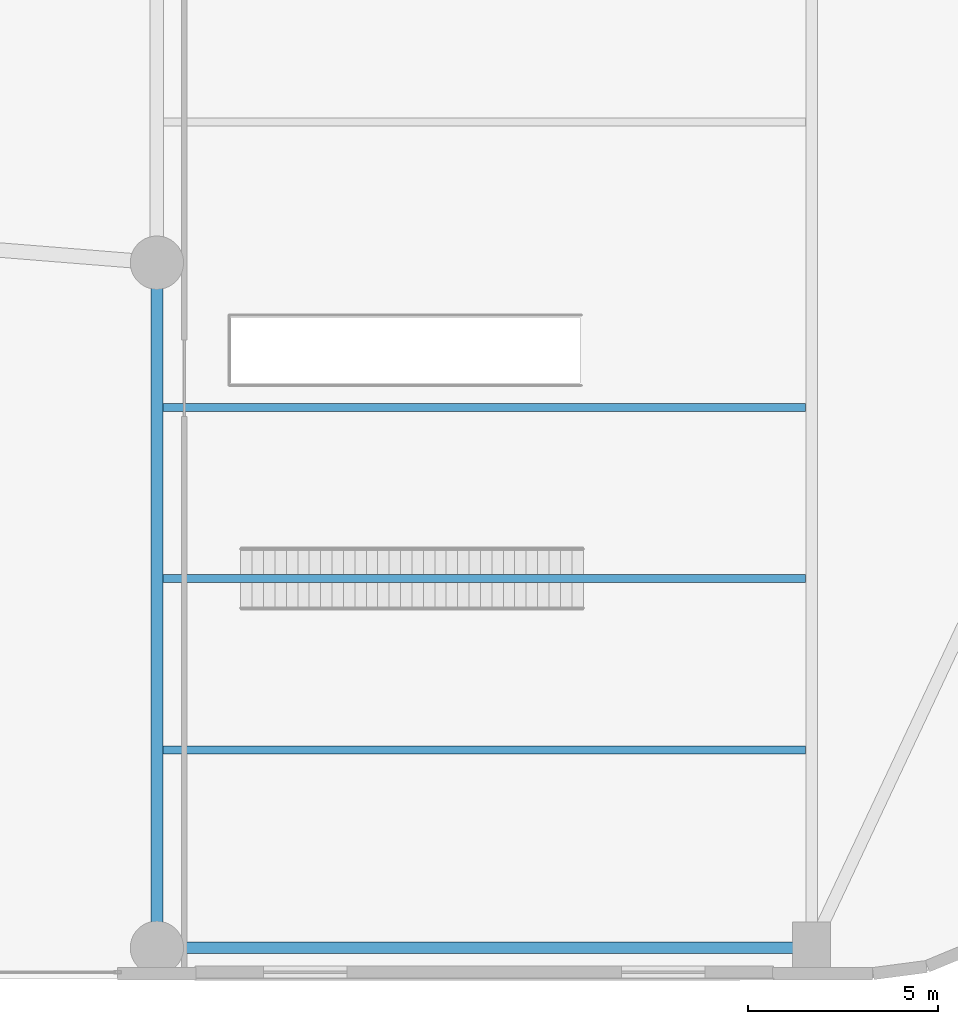
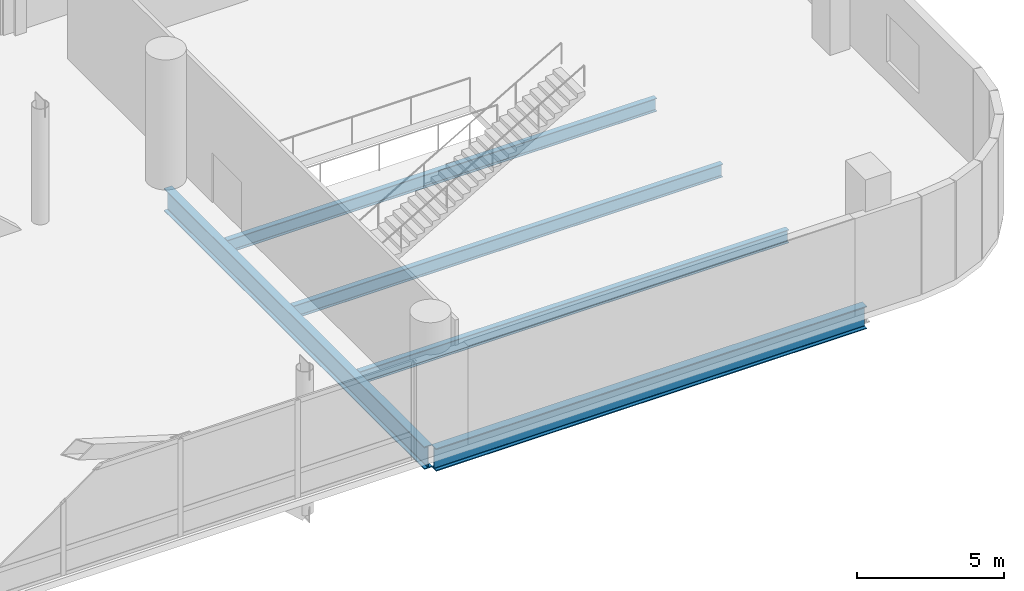
# One storey, part 14 of 36: 5 beams.
"""IFC4 building model written with IfcOpenShell, lengths in metres."""

from ifc_helpers import new_model, si_unit, direction, frame, origin, origin_2d, place, context, subcontext, project, spatial, i_section, extrude, material, material_profile, profile_set, type_object, element, save


model = new_model("IFC4")

# Units and contexts
model_context = context("Model", 3, precision=1e-05, world=origin(), true_north=direction((0.0, 1.0)))
body_context = subcontext(model_context, "Body", "Model", "MODEL_VIEW")
ifc_project = project(units=[si_unit("LENGTHUNIT", "METRE"), si_unit("AREAUNIT", "SQUARE_METRE"), si_unit("VOLUMEUNIT", "CUBIC_METRE"), si_unit("PLANEANGLEUNIT", "RADIAN"), si_unit("MASSUNIT", "GRAM", prefix="KILO")], contexts=[model_context])

# Site, building, storey
site_placement = place(None, origin())
site = spatial("IfcSite", under=ifc_project, at=site_placement, CompositionType="ELEMENT")
building_placement = place(site_placement, origin())
building = spatial("IfcBuilding", under=site, at=building_placement, Name="Varnelok Gate Tower", CompositionType="ELEMENT")
storey_placement = place(building_placement, frame((0.0, 0.0, 10.800048828125)))
storey = spatial("IfcBuildingStorey", under=building, at=storey_placement, Name="L02", CompositionType="ELEMENT", Elevation=10.800048828125)

# Beams
ifc_material = material(Name="Structural Steel ASTM A992 Grade 50", Category="steel")
ifc_material_profile_1 = material_profile(ifc_material, i_section(OverallWidth=0.2119140625, OverallDepth=0.5439453125, WebThickness=0.01318359375, FlangeThickness=0.021240234375, FilletRadius=0.01611328125, at=origin_2d()), Name="W21X83")
ifc_profile_set_1 = profile_set([ifc_material_profile_1], Name="Structural Steel ASTM A992 Grade 50")
beam_type_1 = type_object("IfcBeamType", Name="BM-JST-W21X83", PredefinedType="JOIST", material=ifc_profile_set_1)
for number, where, z_axis, x_axis, name in (
    (1, (54.159912109375, 6.0, -0.552001953125), (1.0, 0.0, 0.0), (0.0, 1.0, 0.0), "L02 Podium Floor Joist"),
    (2, (54.159912109375, 10.5, -0.552001953125), (1.0, 0.0, 0.0), (0.0, 1.0, 0.0), "L02 Podium Floor Joist"),
    (3, (54.159912109375, 15.0, -0.552001953125), (1.0, 0.0, 0.0), (0.0, 1.0, 0.0), "L02 Podium Floor Joist"),
):
    element("IfcBeam", number, at=place(storey_placement, frame(where, z_axis=z_axis, x_axis=x_axis)), inside=storey, type_object=beam_type_1, Name=name, PredefinedType="JOIST", context=body_context, shape_type="SweptSolid", body=[
        extrude(i_section(OverallWidth=0.2119140625, OverallDepth=0.5439453125, WebThickness=0.01318359375, FlangeThickness=0.021240234375, FilletRadius=0.01611328125, at=origin_2d()), origin(), (0.0, 0.0, 1.0), 16.880126953125),
    ])
ifc_material_profile_2 = material_profile(ifc_material, i_section(OverallWidth=0.30810546875, OverallDepth=0.943115234375, WebThickness=0.022216796875, FlangeThickness=0.039794921875, FilletRadius=0.02587890625, at=origin_2d()), Name="W36X232")
ifc_profile_set_2 = profile_set([ifc_material_profile_2], Name="Structural Steel ASTM A992 Grade 50")
beam_type_2 = type_object("IfcBeamType", Name="BM-PRI-W36X232", PredefinedType="BEAM", material=ifc_profile_set_2)
beam_1_placement = place(storey_placement, frame((54.139892578125, 0.800048828125, -0.75146484375), z_axis=(1.0, 0.0, 0.0), x_axis=(0.0, 1.0, 0.0)))
element("IfcBeam", 4, at=beam_1_placement, inside=storey, type_object=beam_type_2, Name="L02 Podium Primary Girder 2", PredefinedType="BEAM", context=body_context, shape_type="SweptSolid", body=[
    extrude(i_section(OverallWidth=0.30810546875, OverallDepth=0.943115234375, WebThickness=0.022216796875, FlangeThickness=0.039794921875, FilletRadius=0.02587890625, at=origin_2d()), origin(), (0.0, 0.0, 1.0), 16.920166015625),
])
beam_2_placement = place(storey_placement, frame((54.0, 0.93994140625, -0.75146484375), z_axis=(0.0, 1.0, 0.0), x_axis=(-1.0, 0.0, 0.0)))
element("IfcBeam", 5, at=beam_2_placement, inside=storey, type_object=beam_type_2, Name="L02 Podium Primary Girder 13", PredefinedType="BEAM", context=body_context, shape_type="SweptSolid", body=[
    extrude(i_section(OverallWidth=0.30810546875, OverallDepth=0.943115234375, WebThickness=0.022216796875, FlangeThickness=0.039794921875, FilletRadius=0.02587890625, at=origin_2d()), origin(), (0.0, 0.0, 1.0), 17.719970703125),
])

save(model, "model.ifc")
